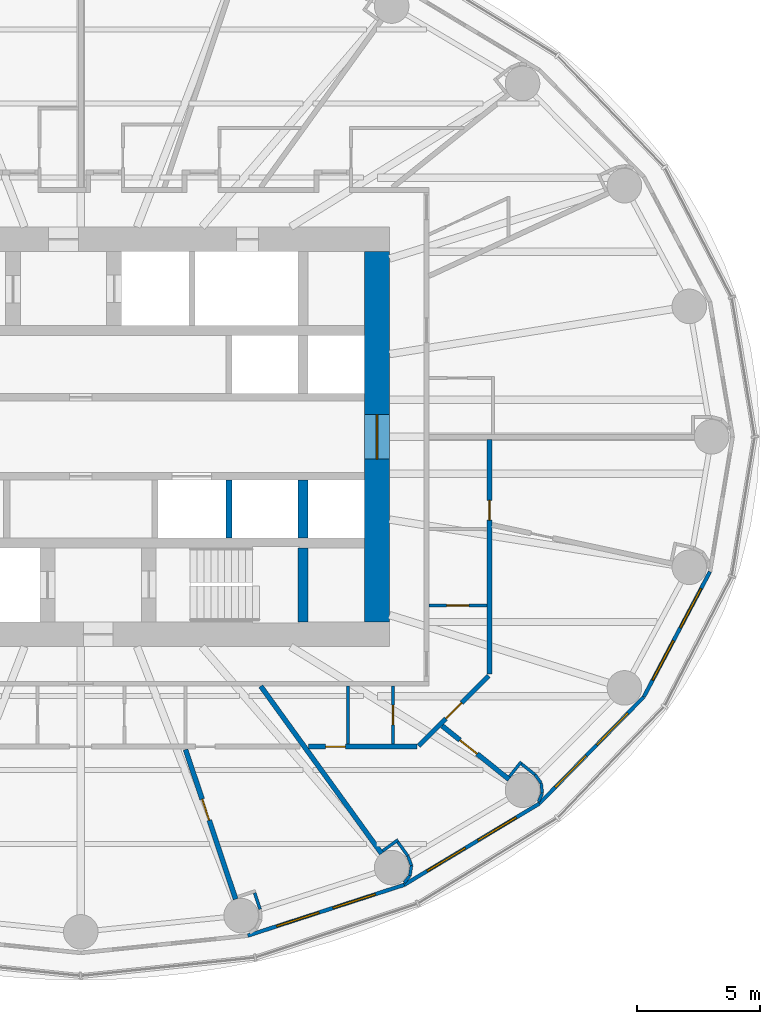
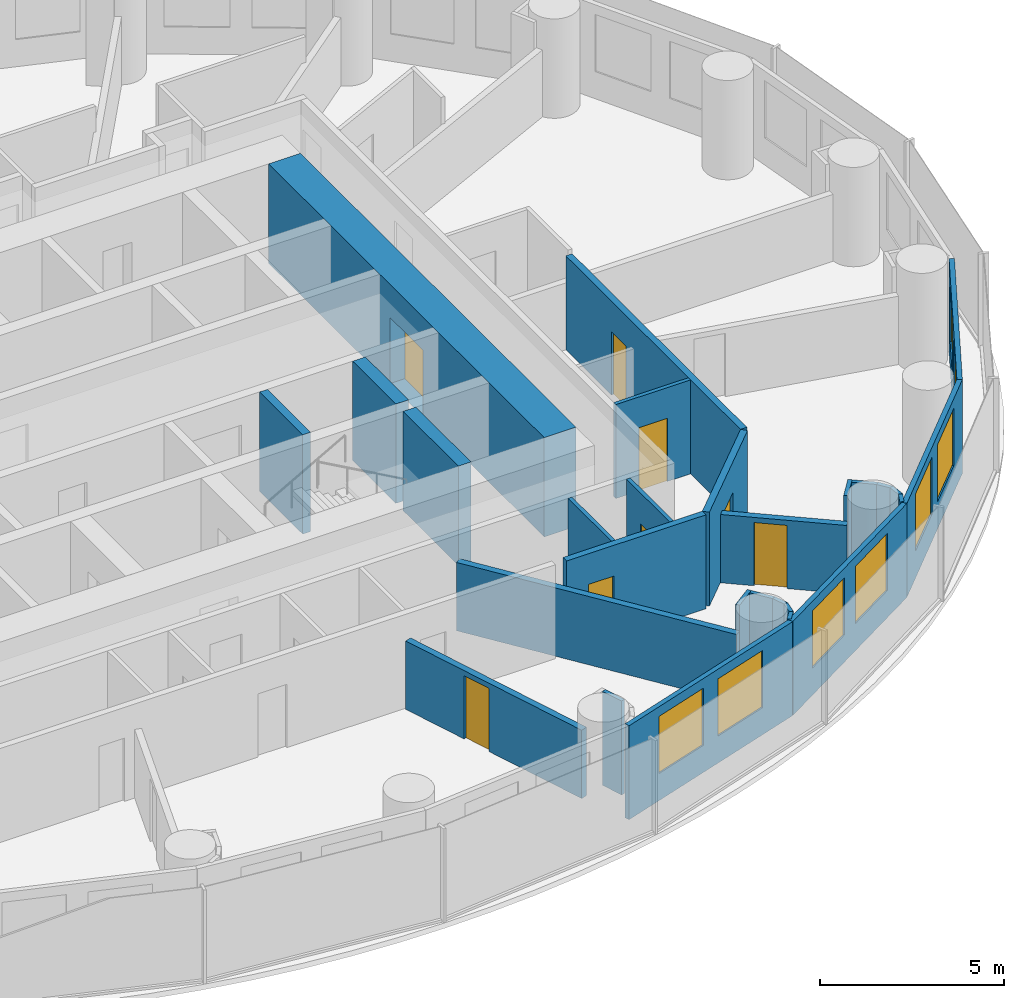
# One storey, part 9 of 14: 28 walls, 8 doors, 8 windows, 16 openings.
"""IFC4 building model written with IfcOpenShell, lengths in metres."""

from ifc_helpers import new_model, si_unit, direction, frame, frame_2d, origin, place, context, subcontext, project, spatial, rectangle, extrude, material, layer, layer_set, type_object, element, fill, save


model = new_model("IFC4")

# Units and contexts
model_context = context("Model", 3, precision=1e-05, world=origin(), true_north=direction((0.0, 1.0)))
body_context = subcontext(model_context, "Body", "Model", "MODEL_VIEW")
ifc_project = project(units=[si_unit("LENGTHUNIT", "METRE"), si_unit("AREAUNIT", "SQUARE_METRE"), si_unit("VOLUMEUNIT", "CUBIC_METRE"), si_unit("PLANEANGLEUNIT", "RADIAN"), si_unit("MASSUNIT", "GRAM", prefix="KILO")], contexts=[model_context])

# Site, building, storey
site_placement = place(None, origin())
site = spatial("IfcSite", under=ifc_project, at=site_placement, CompositionType="ELEMENT")
building_placement = place(site_placement, origin())
building = spatial("IfcBuilding", under=site, at=building_placement, Name="Hankou Lantern Tower", CompositionType="ELEMENT")
storey_placement = place(building_placement, frame((0.0, 0.0, 87.0)))
storey = spatial("IfcBuildingStorey", under=building, at=storey_placement, Name="L22", CompositionType="ELEMENT", Elevation=87.0)

# Wall, opening, door
ifc_material_1 = material(Name="Concrete C60", Category="concrete")
ifc_layer_1 = layer(ifc_material_1, 1.0)
ifc_layer_set_1 = layer_set([ifc_layer_1], Name="Concrete C60")
wall_type_1 = type_object("IfcWallType", Name="CW1 CORE WALL 1000", PredefinedType="SHEAR", material=ifc_layer_set_1)
wall_1_placement = place(storey_placement, frame((12.0, -7.5, 0.0), z_axis=(0.0, 0.0, 1.0), x_axis=(0.0, 1.0, 0.0)))
wall_1 = element("IfcWall", 1, at=wall_1_placement, inside=storey, type_object=wall_type_1, Name="Core wall east L22", PredefinedType="SHEAR", context=body_context, shape_type="SweptSolid", body=[
    extrude(rectangle(XDim=15.0, YDim=1.0, at=frame_2d((7.5, 0.0))), origin(), (0.0, 0.0, 1.0), 3.300048828125),
])
opening_1_placement = place(wall_1_placement, frame((6.60009765625, 0.0, 0.0)))
opening_1 = element("IfcOpeningElement", 2, at=opening_1_placement, cuts=wall_1, Name="Opening D6", PredefinedType="OPENING", context=body_context, shape_type="SweptSolid", body=[
    extrude(rectangle(XDim=1.800048828125, YDim=2.199951171875, at=frame_2d((0.89990234375, 1.10009765625))), frame((0.0, 0.510009765625, 0.0), z_axis=(0.0, -1.0, 0.0), x_axis=(1.0, 0.0, 0.0)), (0.0, 0.0, 1.0), 1.02001953125),
])
ifc_material_2 = material(Name="Steel door leaf", Category="steel")
door_type_1 = type_object("IfcDoorType", Name="D6 LIFT LOBBY DOOR 1800X2200", OperationType="DOUBLE_DOOR_DOUBLE_SWING", PredefinedType="DOOR", material=ifc_material_2)
door_1_placement = place(opening_1_placement, origin())
door_1 = element("IfcDoor", 3, at=door_1_placement, inside=storey, type_object=door_type_1, Name="Lift lobby east door", OperationType="DOUBLE_DOOR_DOUBLE_SWING", OverallHeight=2.199951171875, OverallWidth=1.800048828125, PredefinedType="DOOR", context=body_context, shape_type="SweptSolid", body=[
    extrude(rectangle(XDim=1.800048828125, YDim=2.199951171875, at=frame_2d((0.89990234375, 1.10009765625))), frame((0.0, 0.02490234375, 0.0), z_axis=(0.0, -1.0, 0.0), x_axis=(1.0, 0.0, 0.0)), (0.0, 0.0, 1.0), 0.050048828125),
])
fill(opening_1, door_1)

# Walls
ifc_material_3 = material(Name="Concrete C60", Category="concrete")
ifc_layer_2 = layer(ifc_material_3, 0.39990234375)
ifc_layer_set_2 = layer_set([ifc_layer_2], Name="Concrete C60")
wall_type_2 = type_object("IfcWallType", Name="CW4 CORE CROSS WALL 400", PredefinedType="SHEAR", material=ifc_layer_set_2)
wall_2_placement = place(storey_placement, frame((9.0, -4.10009765625, 0.0), z_axis=(0.0, 0.0, 1.0), x_axis=(0.0, 1.0, 0.0)))
element("IfcWall", 4, at=wall_2_placement, inside=storey, type_object=wall_type_2, Name="Core strip wall L22", PredefinedType="SHEAR", context=body_context, shape_type="SweptSolid", body=[
    extrude(rectangle(XDim=2.35009765625, YDim=0.39990234375, at=frame_2d((1.175048828125, 0.0))), origin(), (0.0, 0.0, 1.0), 3.300048828125),
])
wall_3_placement = place(storey_placement, frame((9.0, -7.5, 0.0), z_axis=(0.0, 0.0, 1.0), x_axis=(0.0, 1.0, 0.0)))
element("IfcWall", 5, at=wall_3_placement, inside=storey, type_object=wall_type_2, Name="Core strip wall L22", PredefinedType="SHEAR", context=body_context, shape_type="SweptSolid", body=[
    extrude(rectangle(XDim=3.0, YDim=0.39990234375, at=frame_2d((1.5, 0.0))), origin(), (0.0, 0.0, 1.0), 3.300048828125),
])

# Wall, openings, windows
ifc_material_4 = material(Name="Aluminium spandrel panel on steel studs", Category="steel")
ifc_layer_3 = layer(ifc_material_4, 0.14990234375)
ifc_layer_set_3 = layer_set([ifc_layer_3], Name="Aluminium spandrel panel on steel studs")
wall_type_3 = type_object("IfcWallType", Name="EW1 INNER SKIN WALL 150", PredefinedType="ELEMENTEDWALL", material=ifc_layer_set_3)
wall_4_placement = place(storey_placement, frame((6.766357421875, -20.201904296875, 0.0), z_axis=(0.0, 0.0, 1.0), x_axis=(0.951137534625, 0.308767534285, 0.0)))
wall_4 = element("IfcWall", 6, at=wall_4_placement, inside=storey, type_object=wall_type_3, Name="Inner skin R20-R21 L22", PredefinedType="ELEMENTEDWALL", context=body_context, shape_type="SweptSolid", body=[
    extrude(rectangle(XDim=6.6552734375, YDim=0.14990234375, at=frame_2d((3.32763671875, 0.0))), origin(), (0.0, 0.0, 1.0), 3.1201171875),
])
opening_2_placement = place(wall_4_placement, frame((1.2275390625, 0.0, 0.89990234375)))
opening_2 = element("IfcOpeningElement", 7, at=opening_2_placement, cuts=wall_4, Name="Opening W1", PredefinedType="OPENING", context=body_context, shape_type="SweptSolid", body=[
    extrude(rectangle(XDim=1.800048828125, YDim=1.89990234375, at=frame_2d((0.89990234375, 0.949951171875))), frame((0.0, 0.0849609375, 0.0), z_axis=(0.0, -1.0, 0.0), x_axis=(1.0, 0.0, 0.0)), (0.0, 0.0, 1.0), 0.169921875),
])
opening_3_placement = place(wall_4_placement, frame((3.627685546875, 0.0, 0.89990234375)))
opening_3 = element("IfcOpeningElement", 8, at=opening_3_placement, cuts=wall_4, Name="Opening W1", PredefinedType="OPENING", context=body_context, shape_type="SweptSolid", body=[
    extrude(rectangle(XDim=1.800048828125, YDim=1.89990234375, at=frame_2d((0.89990234375, 0.949951171875))), frame((0.0, 0.0849609375, 0.0), z_axis=(0.0, -1.0, 0.0), x_axis=(1.0, 0.0, 0.0)), (0.0, 0.0, 1.0), 0.169921875),
])
ifc_material_5 = material(Name="Aluminium framed double glazed window", Category="aluminium")
window_type = type_object("IfcWindowType", Name="W1 GUEST ROOM WINDOW 1800X1900", PartitioningType="DOUBLE_PANEL_VERTICAL", PredefinedType="WINDOW", material=ifc_material_5)
window_1_placement = place(opening_2_placement, origin())
window_1 = element("IfcWindow", 9, at=window_1_placement, inside=storey, type_object=window_type, Name="Window R20.1 L22", OverallHeight=1.89990234375, OverallWidth=1.800048828125, PartitioningType="SINGLE_PANEL", PredefinedType="WINDOW", context=body_context, shape_type="SweptSolid", body=[
    extrude(rectangle(XDim=1.800048828125, YDim=1.89990234375, at=frame_2d((0.89990234375, 0.949951171875))), frame((0.0, 0.030029296875, 0.0), z_axis=(0.0, -1.0, 0.0), x_axis=(1.0, 0.0, 0.0)), (0.0, 0.0, 1.0), 0.06005859375),
])
fill(opening_2, window_1)
window_2_placement = place(opening_3_placement, origin())
window_2 = element("IfcWindow", 10, at=window_2_placement, inside=storey, type_object=window_type, Name="Window R20.2 L22", OverallHeight=1.89990234375, OverallWidth=1.800048828125, PartitioningType="SINGLE_PANEL", PredefinedType="WINDOW", context=body_context, shape_type="SweptSolid", body=[
    extrude(rectangle(XDim=1.800048828125, YDim=1.89990234375, at=frame_2d((0.89990234375, 0.949951171875))), frame((0.0, 0.030029296875, 0.0), z_axis=(0.0, -1.0, 0.0), x_axis=(1.0, 0.0, 0.0)), (0.0, 0.0, 1.0), 0.06005859375),
])
fill(opening_3, window_2)

wall_5_placement = place(storey_placement, frame((13.096435546875, -18.14697265625, 0.0), z_axis=(0.0, 0.0, 1.0), x_axis=(0.856983180864, 0.515344377787, 0.0)))
wall_5 = element("IfcWall", 11, at=wall_5_placement, inside=storey, type_object=wall_type_3, Name="Inner skin R21-R22 L22", PredefinedType="ELEMENTEDWALL", context=body_context, shape_type="SweptSolid", body=[
    extrude(rectangle(XDim=6.386474609375, YDim=0.14990234375, at=frame_2d((3.193359375, 0.0))), origin(), (0.0, 0.0, 1.0), 3.1201171875),
])
opening_4_placement = place(wall_5_placement, frame((1.09326171875, 0.0, 0.89990234375)))
opening_4 = element("IfcOpeningElement", 12, at=opening_4_placement, cuts=wall_5, Name="Opening W1", PredefinedType="OPENING", context=body_context, shape_type="SweptSolid", body=[
    extrude(rectangle(XDim=1.800048828125, YDim=1.89990234375, at=frame_2d((0.89990234375, 0.949951171875))), frame((0.0, 0.0849609375, 0.0), z_axis=(0.0, -1.0, 0.0), x_axis=(1.0, 0.0, 0.0)), (0.0, 0.0, 1.0), 0.169921875),
])
opening_5_placement = place(wall_5_placement, frame((3.4931640625, 0.0, 0.89990234375)))
opening_5 = element("IfcOpeningElement", 13, at=opening_5_placement, cuts=wall_5, Name="Opening W1", PredefinedType="OPENING", context=body_context, shape_type="SweptSolid", body=[
    extrude(rectangle(XDim=1.800048828125, YDim=1.89990234375, at=frame_2d((0.89990234375, 0.949951171875))), frame((0.0, 0.0849609375, 0.0), z_axis=(0.0, -1.0, 0.0), x_axis=(1.0, 0.0, 0.0)), (0.0, 0.0, 1.0), 0.169921875),
])
window_3_placement = place(opening_4_placement, origin())
window_3 = element("IfcWindow", 14, at=window_3_placement, inside=storey, type_object=window_type, Name="Window R21.1 L22", OverallHeight=1.89990234375, OverallWidth=1.800048828125, PartitioningType="SINGLE_PANEL", PredefinedType="WINDOW", context=body_context, shape_type="SweptSolid", body=[
    extrude(rectangle(XDim=1.800048828125, YDim=1.89990234375, at=frame_2d((0.89990234375, 0.949951171875))), frame((0.0, 0.030029296875, 0.0), z_axis=(0.0, -1.0, 0.0), x_axis=(1.0, 0.0, 0.0)), (0.0, 0.0, 1.0), 0.06005859375),
])
fill(opening_4, window_3)
window_4_placement = place(opening_5_placement, origin())
window_4 = element("IfcWindow", 15, at=window_4_placement, inside=storey, type_object=window_type, Name="Window R21.2 L22", OverallHeight=1.89990234375, OverallWidth=1.800048828125, PartitioningType="SINGLE_PANEL", PredefinedType="WINDOW", context=body_context, shape_type="SweptSolid", body=[
    extrude(rectangle(XDim=1.800048828125, YDim=1.89990234375, at=frame_2d((0.89990234375, 0.949951171875))), frame((0.0, 0.030029296875, 0.0), z_axis=(0.0, -1.0, 0.0), x_axis=(1.0, 0.0, 0.0)), (0.0, 0.0, 1.0), 0.06005859375),
])
fill(opening_5, window_4)

wall_6_placement = place(storey_placement, frame((18.569580078125, -14.855712890625, 0.0), z_axis=(0.0, 0.0, 1.0), x_axis=(0.699602905915, 0.714531856557, 0.0)))
wall_6 = element("IfcWall", 16, at=wall_6_placement, inside=storey, type_object=wall_type_3, Name="Inner skin R22-R23 L22", PredefinedType="ELEMENTEDWALL", context=body_context, shape_type="SweptSolid", body=[
    extrude(rectangle(XDim=6.05078125, YDim=0.14990234375, at=frame_2d((3.025390625, 0.0))), origin(), (0.0, 0.0, 1.0), 3.1201171875),
])
opening_6_placement = place(wall_6_placement, frame((0.925537109375, 0.0, 0.89990234375)))
opening_6 = element("IfcOpeningElement", 17, at=opening_6_placement, cuts=wall_6, Name="Opening W1", PredefinedType="OPENING", context=body_context, shape_type="SweptSolid", body=[
    extrude(rectangle(XDim=1.800048828125, YDim=1.89990234375, at=frame_2d((0.89990234375, 0.949951171875))), frame((0.0, 0.0849609375, 0.0), z_axis=(0.0, -1.0, 0.0), x_axis=(1.0, 0.0, 0.0)), (0.0, 0.0, 1.0), 0.169921875),
])
opening_7_placement = place(wall_6_placement, frame((3.325439453125, 0.0, 0.89990234375)))
opening_7 = element("IfcOpeningElement", 18, at=opening_7_placement, cuts=wall_6, Name="Opening W1", PredefinedType="OPENING", context=body_context, shape_type="SweptSolid", body=[
    extrude(rectangle(XDim=1.800048828125, YDim=1.89990234375, at=frame_2d((0.89990234375, 0.949951171875))), frame((0.0, 0.0849609375, 0.0), z_axis=(0.0, -1.0, 0.0), x_axis=(1.0, 0.0, 0.0)), (0.0, 0.0, 1.0), 0.169921875),
])
window_5_placement = place(opening_6_placement, origin())
window_5 = element("IfcWindow", 19, at=window_5_placement, inside=storey, type_object=window_type, Name="Window R22.1 L22", OverallHeight=1.89990234375, OverallWidth=1.800048828125, PartitioningType="SINGLE_PANEL", PredefinedType="WINDOW", context=body_context, shape_type="SweptSolid", body=[
    extrude(rectangle(XDim=1.800048828125, YDim=1.89990234375, at=frame_2d((0.89990234375, 0.949951171875))), frame((0.0, 0.030029296875, 0.0), z_axis=(0.0, -1.0, 0.0), x_axis=(1.0, 0.0, 0.0)), (0.0, 0.0, 1.0), 0.06005859375),
])
fill(opening_6, window_5)
window_6_placement = place(opening_7_placement, origin())
window_6 = element("IfcWindow", 20, at=window_6_placement, inside=storey, type_object=window_type, Name="Window R22.2 L22", OverallHeight=1.89990234375, OverallWidth=1.800048828125, PartitioningType="SINGLE_PANEL", PredefinedType="WINDOW", context=body_context, shape_type="SweptSolid", body=[
    extrude(rectangle(XDim=1.800048828125, YDim=1.89990234375, at=frame_2d((0.89990234375, 0.949951171875))), frame((0.0, 0.030029296875, 0.0), z_axis=(0.0, -1.0, 0.0), x_axis=(1.0, 0.0, 0.0)), (0.0, 0.0, 1.0), 0.06005859375),
])
fill(opening_7, window_6)

wall_7_placement = place(storey_placement, frame((22.802734375, -10.5322265625, 0.0), z_axis=(0.0, 0.0, 1.0), x_axis=(0.467296867008, 0.884100468321, 0.0)))
wall_7 = element("IfcWall", 21, at=wall_7_placement, inside=storey, type_object=wall_type_3, Name="Inner skin R23-R24 L22", PredefinedType="ELEMENTEDWALL", context=body_context, shape_type="SweptSolid", body=[
    extrude(rectangle(XDim=5.734375, YDim=0.14990234375, at=frame_2d((2.8671875, 0.0))), origin(), (0.0, 0.0, 1.0), 3.1201171875),
])
opening_8_placement = place(wall_7_placement, frame((0.76708984375, 0.0, 0.89990234375)))
opening_8 = element("IfcOpeningElement", 22, at=opening_8_placement, cuts=wall_7, Name="Opening W1", PredefinedType="OPENING", context=body_context, shape_type="SweptSolid", body=[
    extrude(rectangle(XDim=1.800048828125, YDim=1.89990234375, at=frame_2d((0.89990234375, 0.949951171875))), frame((0.0, 0.0849609375, 0.0), z_axis=(0.0, -1.0, 0.0), x_axis=(1.0, 0.0, 0.0)), (0.0, 0.0, 1.0), 0.169921875),
])
opening_9_placement = place(wall_7_placement, frame((3.167236328125, 0.0, 0.89990234375)))
opening_9 = element("IfcOpeningElement", 23, at=opening_9_placement, cuts=wall_7, Name="Opening W1", PredefinedType="OPENING", context=body_context, shape_type="SweptSolid", body=[
    extrude(rectangle(XDim=1.800048828125, YDim=1.89990234375, at=frame_2d((0.89990234375, 0.949951171875))), frame((0.0, 0.0849609375, 0.0), z_axis=(0.0, -1.0, 0.0), x_axis=(1.0, 0.0, 0.0)), (0.0, 0.0, 1.0), 0.169921875),
])
window_7_placement = place(opening_8_placement, origin())
window_7 = element("IfcWindow", 24, at=window_7_placement, inside=storey, type_object=window_type, Name="Window R23.1 L22", OverallHeight=1.89990234375, OverallWidth=1.800048828125, PartitioningType="SINGLE_PANEL", PredefinedType="WINDOW", context=body_context, shape_type="SweptSolid", body=[
    extrude(rectangle(XDim=1.800048828125, YDim=1.89990234375, at=frame_2d((0.89990234375, 0.949951171875))), frame((0.0, 0.030029296875, 0.0), z_axis=(0.0, -1.0, 0.0), x_axis=(1.0, 0.0, 0.0)), (0.0, 0.0, 1.0), 0.06005859375),
])
fill(opening_8, window_7)
window_8_placement = place(opening_9_placement, origin())
window_8 = element("IfcWindow", 25, at=window_8_placement, inside=storey, type_object=window_type, Name="Window R23.2 L22", OverallHeight=1.89990234375, OverallWidth=1.800048828125, PartitioningType="SINGLE_PANEL", PredefinedType="WINDOW", context=body_context, shape_type="SweptSolid", body=[
    extrude(rectangle(XDim=1.800048828125, YDim=1.89990234375, at=frame_2d((0.89990234375, 0.949951171875))), frame((0.0, 0.030029296875, 0.0), z_axis=(0.0, -1.0, 0.0), x_axis=(1.0, 0.0, 0.0)), (0.0, 0.0, 1.0), 0.06005859375),
])
fill(opening_9, window_8)

# Walls
ifc_material_6 = material(Name="Masonry lightweight concrete block", Category="masonry")
ifc_layer_4 = layer(ifc_material_6, 0.199951171875)
ifc_layer_set_4 = layer_set([ifc_layer_4], Name="Masonry lightweight concrete block")
wall_type_4 = type_object("IfcWallType", Name="IW1 GUEST ROOM PARTY WALL 200", PredefinedType="PARTITIONING", material=ifc_layer_set_4)
wall_8_placement = place(storey_placement, frame((7.2890625, -10.10009765625, 0.0), z_axis=(0.0, 0.0, 1.0), x_axis=(0.585198353053, -0.810890182197, 0.0)))
element("IfcWall", 26, at=wall_8_placement, inside=storey, type_object=wall_type_4, Name="Party wall R21", PredefinedType="PARTITIONING", context=body_context, shape_type="SweptSolid", body=[
    extrude(rectangle(XDim=8.359619140625, YDim=0.199951171875, at=frame_2d((4.1796875, 0.0))), origin(), (0.0, 0.0, 1.0), 2.27001953125),
])
ifc_material_7 = material(Name="Masonry lightweight concrete block", Category="masonry")
ifc_layer_5 = layer(ifc_material_7, 0.1201171875)
ifc_layer_set_5 = layer_set([ifc_layer_5], Name="Masonry lightweight concrete block")
wall_type_5 = type_object("IfcWallType", Name="IW3 BATHROOM WALL 120", PredefinedType="PARTITIONING", material=ifc_layer_set_5)
wall_9_placement = place(storey_placement, frame((10.813720703125, -10.10009765625, 0.0), z_axis=(0.0, 0.0, 1.0), x_axis=(0.0, -1.0, 0.0)))
element("IfcWall", 27, at=wall_9_placement, inside=storey, type_object=wall_type_5, Name="Box wall 2207 1", PredefinedType="PARTITIONING", context=body_context, shape_type="SweptSolid", body=[
    extrude(rectangle(XDim=2.349853515625, YDim=0.1201171875, at=frame_2d((1.1748046875, 0.0))), origin(), (0.0, 0.0, 1.0), 3.1201171875),
])

# Wall, opening, door
wall_10_placement = place(storey_placement, frame((12.6435546875, -10.10009765625, 0.0), z_axis=(0.0, 0.0, 1.0), x_axis=(0.0, -1.0, 0.0)))
wall_10 = element("IfcWall", 28, at=wall_10_placement, inside=storey, type_object=wall_type_5, Name="Box wall 2207 2", PredefinedType="PARTITIONING", context=body_context, shape_type="SweptSolid", body=[
    extrude(rectangle(XDim=2.349853515625, YDim=0.1201171875, at=frame_2d((1.1748046875, 0.0))), origin(), (0.0, 0.0, 1.0), 3.1201171875),
])
opening_10_placement = place(wall_10_placement, frame((0.77001953125, 0.0, 0.0)))
opening_10 = element("IfcOpeningElement", 29, at=opening_10_placement, cuts=wall_10, Name="Opening D3", PredefinedType="OPENING", context=body_context, shape_type="SweptSolid", body=[
    extrude(rectangle(XDim=0.800048828125, YDim=2.10009765625, at=frame_2d((0.39990234375, 1.050048828125))), frame((0.0, 0.070068359375, 0.0), z_axis=(0.0, -1.0, 0.0), x_axis=(1.0, 0.0, 0.0)), (0.0, 0.0, 1.0), 0.14013671875),
])
ifc_material_8 = material(Name="Timber door leaf", Category="wood")
door_type_2 = type_object("IfcDoorType", Name="D3 BATHROOM DOOR 800X2100", OperationType="SINGLE_SWING_LEFT", PredefinedType="DOOR", material=ifc_material_8)
door_2_placement = place(opening_10_placement, origin())
door_2 = element("IfcDoor", 30, at=door_2_placement, inside=storey, type_object=door_type_2, Name="Family suite 2207 guest WC door", OperationType="SINGLE_SWING_LEFT", OverallHeight=2.10009765625, OverallWidth=0.800048828125, PredefinedType="DOOR", context=body_context, shape_type="SweptSolid", body=[
    extrude(rectangle(XDim=0.800048828125, YDim=2.10009765625, at=frame_2d((0.39990234375, 1.050048828125))), frame((0.0, 0.02490234375, 0.0), z_axis=(0.0, -1.0, 0.0), x_axis=(1.0, 0.0, 0.0)), (0.0, 0.0, 1.0), 0.050048828125),
])
fill(opening_10, door_2)

wall_11_placement = place(storey_placement, frame((14.10009765625, -6.83642578125, 0.0), z_axis=(0.0, 0.0, 1.0), x_axis=(1.0, 0.0, 0.0)))
wall_11 = element("IfcWall", 31, at=wall_11_placement, inside=storey, type_object=wall_type_5, Name="Box wall 2207 3", PredefinedType="PARTITIONING", context=body_context, shape_type="SweptSolid", body=[
    extrude(rectangle(XDim=2.349853515625, YDim=0.1201171875, at=frame_2d((1.1748046875, 0.0))), origin(), (0.0, 0.0, 1.0), 3.1201171875),
])
opening_11_placement = place(wall_11_placement, frame((0.719970703125, 0.0, 0.0)))
opening_11 = element("IfcOpeningElement", 32, at=opening_11_placement, cuts=wall_11, Name="Opening D27", PredefinedType="OPENING", context=body_context, shape_type="SweptSolid", body=[
    extrude(rectangle(XDim=0.89990234375, YDim=2.10009765625, at=frame_2d((0.449951171875, 1.050048828125))), frame((0.0, 0.070068359375, 0.0), z_axis=(0.0, -1.0, 0.0), x_axis=(1.0, 0.0, 0.0)), (0.0, 0.0, 1.0), 0.14013671875),
])
ifc_material_9 = material(Name="Timber door leaf", Category="wood")
door_type_3 = type_object("IfcDoorType", Name="D27 INTERNAL DOOR 900X2100", OperationType="SINGLE_SWING_LEFT", PredefinedType="DOOR", material=ifc_material_9)
door_3_placement = place(opening_11_placement, origin())
door_3 = element("IfcDoor", 33, at=door_3_placement, inside=storey, type_object=door_type_3, Name="Family suite 2207 walk-in wardrobe door", OperationType="SINGLE_SWING_LEFT", OverallHeight=2.10009765625, OverallWidth=0.89990234375, PredefinedType="DOOR", context=body_context, shape_type="SweptSolid", body=[
    extrude(rectangle(XDim=0.89990234375, YDim=2.10009765625, at=frame_2d((0.449951171875, 1.050048828125))), frame((0.0, 0.02490234375, 0.0), z_axis=(0.0, -1.0, 0.0), x_axis=(1.0, 0.0, 0.0)), (0.0, 0.0, 1.0), 0.050048828125),
])
fill(opening_11, door_3)

# Walls
ifc_material_10 = material(Name="Masonry lightweight concrete block", Category="masonry")
ifc_layer_6 = layer(ifc_material_10, 0.1201171875)
ifc_layer_set_6 = layer_set([ifc_layer_6], Name="Masonry lightweight concrete block")
wall_type_6 = type_object("IfcWallType", Name="IW4 PARTITION 120", PredefinedType="PARTITIONING", material=ifc_layer_set_6)
wall_12_placement = place(storey_placement, frame((7.038330078125, -18.47119140625, 0.0), z_axis=(0.0, 0.0, 1.0), x_axis=(0.317378466199, -0.9482989556, 0.0)))
element("IfcWall", 34, at=wall_12_placement, inside=storey, type_object=wall_type_6, Name="Column casing R20", PredefinedType="PARTITIONING", context=body_context, shape_type="SweptSolid", body=[
    extrude(rectangle(XDim=0.699951171875, YDim=0.1201171875, at=frame_2d((0.35009765625, 0.0))), origin(), (0.0, 0.0, 1.0), 3.1201171875),
])
wall_13_placement = place(storey_placement, frame((12.227294921875, -16.771728515625, 0.0), z_axis=(0.0, 0.0, 1.0), x_axis=(0.810821798253, 0.585293098778, 0.0)))
element("IfcWall", 35, at=wall_13_placement, inside=storey, type_object=wall_type_6, Name="Column casing R21 return", PredefinedType="PARTITIONING", context=body_context, shape_type="SweptSolid", body=[
    extrude(rectangle(XDim=0.767578125, YDim=0.1201171875, at=frame_2d((0.3837890625, 0.0))), origin(), (0.0, 0.0, 1.0), 3.1201171875),
])
wall_14_placement = place(storey_placement, frame((12.8359375, -16.40625, 0.0), z_axis=(0.0, 0.0, 1.0), x_axis=(0.585223113993, -0.810872312296, 0.0)))
element("IfcWall", 36, at=wall_14_placement, inside=storey, type_object=wall_type_6, Name="Column casing R21", PredefinedType="PARTITIONING", context=body_context, shape_type="SweptSolid", body=[
    extrude(rectangle(XDim=0.699951171875, YDim=0.1201171875, at=frame_2d((0.35009765625, 0.0))), origin(), (0.0, 0.0, 1.0), 3.1201171875),
])
wall_15_placement = place(storey_placement, frame((13.24560546875, -16.973876953125, 0.0), z_axis=(0.0, 0.0, 1.0), x_axis=(0.355728122235, -0.934589483705, 0.0)))
element("IfcWall", 37, at=wall_15_placement, inside=storey, type_object=wall_type_6, Name="Column casing R21", PredefinedType="PARTITIONING", context=body_context, shape_type="SweptSolid", body=[
    extrude(rectangle(XDim=0.41796875, YDim=0.1201171875, at=frame_2d((0.208984375, 0.0))), origin(), (0.0, 0.0, 1.0), 3.1201171875),
])
wall_16_placement = place(storey_placement, frame((13.394287109375, -17.364501953125, 0.0), z_axis=(0.0, 0.0, 1.0), x_axis=(-0.159379276926, -0.987217425943, 0.0)))
element("IfcWall", 38, at=wall_16_placement, inside=storey, type_object=wall_type_6, Name="Column casing R21", PredefinedType="PARTITIONING", context=body_context, shape_type="SweptSolid", body=[
    extrude(rectangle(XDim=0.418212890625, YDim=0.1201171875, at=frame_2d((0.208984375, 0.0))), origin(), (0.0, 0.0, 1.0), 3.1201171875),
])
wall_17_placement = place(storey_placement, frame((13.32763671875, -17.77734375, 0.0), z_axis=(0.0, 0.0, 1.0), x_axis=(-0.632276783541, -0.774742582407, 0.0)))
element("IfcWall", 39, at=wall_17_placement, inside=storey, type_object=wall_type_6, Name="Column casing R21", PredefinedType="PARTITIONING", context=body_context, shape_type="SweptSolid", body=[
    extrude(rectangle(XDim=0.35986328125, YDim=0.1201171875, at=frame_2d((0.179931640625, 0.0))), origin(), (0.0, 0.0, 1.0), 3.1201171875),
])
wall_18_placement = place(storey_placement, frame((17.36083984375, -13.760498046875, 0.0), z_axis=(0.0, 0.0, 1.0), x_axis=(0.624501042889, 0.781023973659, 0.0)))
element("IfcWall", 40, at=wall_18_placement, inside=storey, type_object=wall_type_6, Name="Column casing R22 return", PredefinedType="PARTITIONING", context=body_context, shape_type="SweptSolid", body=[
    extrude(rectangle(XDim=0.767333984375, YDim=0.1201171875, at=frame_2d((0.3837890625, 0.0))), origin(), (0.0, 0.0, 1.0), 3.1201171875),
])
wall_19_placement = place(storey_placement, frame((17.849609375, -13.24560546875, 0.0), z_axis=(0.0, 0.0, 1.0), x_axis=(0.780902834923, -0.62465251333, 0.0)))
element("IfcWall", 41, at=wall_19_placement, inside=storey, type_object=wall_type_6, Name="Column casing R22", PredefinedType="PARTITIONING", context=body_context, shape_type="SweptSolid", body=[
    extrude(rectangle(XDim=0.699951171875, YDim=0.1201171875, at=frame_2d((0.35009765625, 0.0))), origin(), (0.0, 0.0, 1.0), 3.1201171875),
])
for number, where, z_axis, x_axis, name in (
    (42, (18.396240234375, -13.682861328125, 0.0), (0.0, 0.0, 1.0), (0.592401603461, -0.805642811807, 0.0), "Column casing R22"),
    (43, (18.643798828125, -14.01953125, 0.0), (0.0, 0.0, 1.0), (0.110367433259, -0.993890854006, 0.0), "Column casing R22"),
):
    element("IfcWall", number, at=place(storey_placement, frame(where, z_axis=z_axis, x_axis=x_axis)), inside=storey, type_object=wall_type_6, Name=name, PredefinedType="PARTITIONING", context=body_context, shape_type="SweptSolid", body=[
        extrude(rectangle(XDim=0.41796875, YDim=0.1201171875, at=frame_2d((0.208984375, 0.0))), origin(), (0.0, 0.0, 1.0), 3.1201171875),
    ])
wall_20_placement = place(storey_placement, frame((18.68994140625, -14.43505859375, 0.0), z_axis=(0.0, 0.0, 1.0), x_axis=(-0.401093412634, -0.91603715773, 0.0)))
element("IfcWall", 44, at=wall_20_placement, inside=storey, type_object=wall_type_6, Name="Column casing R22", PredefinedType="PARTITIONING", context=body_context, shape_type="SweptSolid", body=[
    extrude(rectangle(XDim=0.373046875, YDim=0.1201171875, at=frame_2d((0.1865234375, 0.0))), origin(), (0.0, 0.0, 1.0), 3.1201171875),
])

# Wall, opening, door
ifc_material_11 = material(Name="Masonry lightweight concrete block", Category="masonry")
ifc_layer_7 = layer(ifc_material_11, 0.199951171875)
ifc_layer_set_7 = layer_set([ifc_layer_7], Name="Masonry lightweight concrete block")
wall_type_7 = type_object("IfcWallType", Name="IW6 SUITE PARTITION 200", PredefinedType="PARTITIONING", material=ifc_layer_set_7)
wall_21_placement = place(storey_placement, frame((4.24169921875, -12.664306640625, 0.0), z_axis=(0.0, 0.0, 1.0), x_axis=(0.317590505374, -0.94822796357, 0.0)))
wall_21 = element("IfcWall", 45, at=wall_21_placement, inside=storey, type_object=wall_type_7, Name="Suite partition R20", PredefinedType="PARTITIONING", context=body_context, shape_type="SweptSolid", body=[
    extrude(rectangle(XDim=6.394287109375, YDim=0.199951171875, at=frame_2d((3.197265625, 0.0))), origin(), (0.0, 0.0, 1.0), 2.27001953125),
])
opening_12_placement = place(wall_21_placement, frame((2.1201171875, 0.0, 0.0)))
opening_12 = element("IfcOpeningElement", 46, at=opening_12_placement, cuts=wall_21, Name="Opening D27", PredefinedType="OPENING", context=body_context, shape_type="SweptSolid", body=[
    extrude(rectangle(XDim=0.89990234375, YDim=2.10009765625, at=frame_2d((0.449951171875, 1.050048828125))), frame((0.0, 0.10986328125, 0.0), z_axis=(0.0, -1.0, 0.0), x_axis=(1.0, 0.0, 0.0)), (0.0, 0.0, 1.0), 0.219970703125),
])
door_4_placement = place(opening_12_placement, origin())
door_4 = element("IfcDoor", 47, at=door_4_placement, inside=storey, type_object=door_type_3, Name="Family suite 2206 second bedroom door", OperationType="SINGLE_SWING_LEFT", OverallHeight=2.10009765625, OverallWidth=0.89990234375, PredefinedType="DOOR", context=body_context, shape_type="SweptSolid", body=[
    extrude(rectangle(XDim=0.89990234375, YDim=2.10009765625, at=frame_2d((0.449951171875, 1.050048828125))), frame((0.0, 0.02490234375, 0.0), z_axis=(0.0, -1.0, 0.0), x_axis=(1.0, 0.0, 0.0)), (0.0, 0.0, 1.0), 0.050048828125),
])
fill(opening_12, door_4)

wall_22_placement = place(storey_placement, frame((9.231689453125, -12.550048828125, 0.0), z_axis=(0.0, 0.0, 1.0), x_axis=(1.0, 0.0, 0.0)))
wall_22 = element("IfcWall", 48, at=wall_22_placement, inside=storey, type_object=wall_type_7, Name="Suite foyer wall 2207", PredefinedType="PARTITIONING", context=body_context, shape_type="SweptSolid", body=[
    extrude(rectangle(XDim=4.376953125, YDim=0.199951171875, at=frame_2d((2.1884765625, 0.0))), origin(), (0.0, 0.0, 1.0), 3.1201171875),
])
opening_13_placement = place(wall_22_placement, frame((0.685302734375, 0.0, 0.0)))
opening_13 = element("IfcOpeningElement", 49, at=opening_13_placement, cuts=wall_22, Name="Opening D3", PredefinedType="OPENING", context=body_context, shape_type="SweptSolid", body=[
    extrude(rectangle(XDim=0.800048828125, YDim=2.10009765625, at=frame_2d((0.39990234375, 1.050048828125))), frame((0.0, 0.10986328125, 0.0), z_axis=(0.0, -1.0, 0.0), x_axis=(1.0, 0.0, 0.0)), (0.0, 0.0, 1.0), 0.219970703125),
])
door_5_placement = place(opening_13_placement, origin())
door_5 = element("IfcDoor", 50, at=door_5_placement, inside=storey, type_object=door_type_2, Name="Family suite 2207 bathroom door", OperationType="SINGLE_SWING_RIGHT", OverallHeight=2.10009765625, OverallWidth=0.800048828125, PredefinedType="DOOR", context=body_context, shape_type="SweptSolid", body=[
    extrude(rectangle(XDim=0.800048828125, YDim=2.10009765625, at=frame_2d((0.39990234375, 1.050048828125))), frame((0.0, 0.02490234375, 0.0), z_axis=(0.0, -1.0, 0.0), x_axis=(1.0, 0.0, 0.0)), (0.0, 0.0, 1.0), 0.050048828125),
])
fill(opening_13, door_5)

wall_23_placement = place(storey_placement, frame((13.67919921875, -12.520751953125, 0.0), z_axis=(0.0, 0.0, 1.0), x_axis=(0.707106781187, 0.707106781187, 0.0)))
wall_23 = element("IfcWall", 51, at=wall_23_placement, inside=storey, type_object=wall_type_7, Name="Suite foyer wall 2207", PredefinedType="PARTITIONING", context=body_context, shape_type="SweptSolid", body=[
    extrude(rectangle(XDim=4.0185546875, YDim=0.199951171875, at=frame_2d((2.00927734375, 0.0))), origin(), (0.0, 0.0, 1.0), 3.1201171875),
])
opening_14_placement = place(wall_23_placement, frame((1.570068359375, 0.0, 0.0)))
opening_14 = element("IfcOpeningElement", 52, at=opening_14_placement, cuts=wall_23, Name="Opening D27", PredefinedType="OPENING", context=body_context, shape_type="SweptSolid", body=[
    extrude(rectangle(XDim=0.89990234375, YDim=2.10009765625, at=frame_2d((0.449951171875, 1.050048828125))), frame((0.0, 0.10986328125, 0.0), z_axis=(0.0, -1.0, 0.0), x_axis=(1.0, 0.0, 0.0)), (0.0, 0.0, 1.0), 0.219970703125),
])
door_6_placement = place(opening_14_placement, origin())
door_6 = element("IfcDoor", 53, at=door_6_placement, inside=storey, type_object=door_type_3, Name="Family suite 2207 living room door", OperationType="SINGLE_SWING_RIGHT", OverallHeight=2.10009765625, OverallWidth=0.89990234375, PredefinedType="DOOR", context=body_context, shape_type="SweptSolid", body=[
    extrude(rectangle(XDim=0.89990234375, YDim=2.10009765625, at=frame_2d((0.449951171875, 1.050048828125))), frame((0.0, 0.02490234375, 0.0), z_axis=(0.0, -1.0, 0.0), x_axis=(1.0, 0.0, 0.0)), (0.0, 0.0, 1.0), 0.050048828125),
])
fill(opening_14, door_6)

wall_24_placement = place(storey_placement, frame((16.550048828125, -9.608642578125, 0.0), z_axis=(0.0, 0.0, 1.0), x_axis=(0.0, 1.0, 0.0)))
wall_24 = element("IfcWall", 54, at=wall_24_placement, inside=storey, type_object=wall_type_7, Name="Suite foyer wall 2207", PredefinedType="PARTITIONING", context=body_context, shape_type="SweptSolid", body=[
    extrude(rectangle(XDim=9.507568359375, YDim=0.199951171875, at=frame_2d((4.75390625, 0.0))), origin(), (0.0, 0.0, 1.0), 3.1201171875),
])
opening_15_placement = place(wall_24_placement, frame((6.23388671875, 0.0, 0.0)))
opening_15 = element("IfcOpeningElement", 55, at=opening_15_placement, cuts=wall_24, Name="Opening D3", PredefinedType="OPENING", context=body_context, shape_type="SweptSolid", body=[
    extrude(rectangle(XDim=0.800048828125, YDim=2.10009765625, at=frame_2d((0.39990234375, 1.050048828125))), frame((0.0, 0.10986328125, 0.0), z_axis=(0.0, -1.0, 0.0), x_axis=(1.0, 0.0, 0.0)), (0.0, 0.0, 1.0), 0.219970703125),
])
door_7_placement = place(opening_15_placement, origin())
door_7 = element("IfcDoor", 56, at=door_7_placement, inside=storey, type_object=door_type_2, Name="Family suite 2207 second bathroom door", OperationType="SINGLE_SWING_LEFT", OverallHeight=2.10009765625, OverallWidth=0.800048828125, PredefinedType="DOOR", context=body_context, shape_type="SweptSolid", body=[
    extrude(rectangle(XDim=0.800048828125, YDim=2.10009765625, at=frame_2d((0.39990234375, 1.050048828125))), frame((0.0, 0.02490234375, 0.0), z_axis=(0.0, -1.0, 0.0), x_axis=(1.0, 0.0, 0.0)), (0.0, 0.0, 1.0), 0.050048828125),
])
fill(opening_15, door_7)

wall_25_placement = place(storey_placement, frame((14.634033203125, -11.707275390625, 0.0), z_axis=(0.0, 0.0, 1.0), x_axis=(0.780903110683, -0.624652168591, 0.0)))
wall_25 = element("IfcWall", 57, at=wall_25_placement, inside=storey, type_object=wall_type_7, Name="Suite partition R22", PredefinedType="PARTITIONING", context=body_context, shape_type="SweptSolid", body=[
    extrude(rectangle(XDim=3.471923828125, YDim=0.199951171875, at=frame_2d((1.73583984375, 0.0))), origin(), (0.0, 0.0, 1.0), 2.27001953125),
])
opening_16_placement = place(wall_25_placement, frame((0.919921875, 0.0, 0.0)))
opening_16 = element("IfcOpeningElement", 58, at=opening_16_placement, cuts=wall_25, Name="Opening D27", PredefinedType="OPENING", context=body_context, shape_type="SweptSolid", body=[
    extrude(rectangle(XDim=0.89990234375, YDim=2.10009765625, at=frame_2d((0.449951171875, 1.050048828125))), frame((0.0, 0.10986328125, 0.0), z_axis=(0.0, -1.0, 0.0), x_axis=(1.0, 0.0, 0.0)), (0.0, 0.0, 1.0), 0.219970703125),
])
door_8_placement = place(opening_16_placement, origin())
door_8 = element("IfcDoor", 59, at=door_8_placement, inside=storey, type_object=door_type_3, Name="Family suite 2207 bedroom door", OperationType="SINGLE_SWING_LEFT", OverallHeight=2.10009765625, OverallWidth=0.89990234375, PredefinedType="DOOR", context=body_context, shape_type="SweptSolid", body=[
    extrude(rectangle(XDim=0.89990234375, YDim=2.10009765625, at=frame_2d((0.449951171875, 1.050048828125))), frame((0.0, 0.02490234375, 0.0), z_axis=(0.0, -1.0, 0.0), x_axis=(1.0, 0.0, 0.0)), (0.0, 0.0, 1.0), 0.050048828125),
])
fill(opening_16, door_8)

# Wall
ifc_material_12 = material(Name="Masonry autoclaved aerated concrete block", Category="masonry")
ifc_layer_8 = layer(ifc_material_12, 0.25)
ifc_layer_set_8 = layer_set([ifc_layer_8], Name="Masonry autoclaved aerated concrete block")
wall_type_8 = type_object("IfcWallType", Name="SW1 SHAFT BLOCK WALL 250", PredefinedType="PARTITIONING", material=ifc_layer_set_8)
wall_26_placement = place(storey_placement, frame((6.0, -4.10009765625, 0.0), z_axis=(0.0, 0.0, 1.0), x_axis=(0.0, 1.0, 0.0)))
element("IfcWall", 60, at=wall_26_placement, inside=storey, type_object=wall_type_8, Name="Lift shaft wall L22", PredefinedType="PARTITIONING", context=body_context, shape_type="SweptSolid", body=[
    extrude(rectangle(XDim=2.35009765625, YDim=0.25, at=frame_2d((1.175048828125, 0.0))), origin(), (0.0, 0.0, 1.0), 3.300048828125),
])

save(model, "model.ifc")
